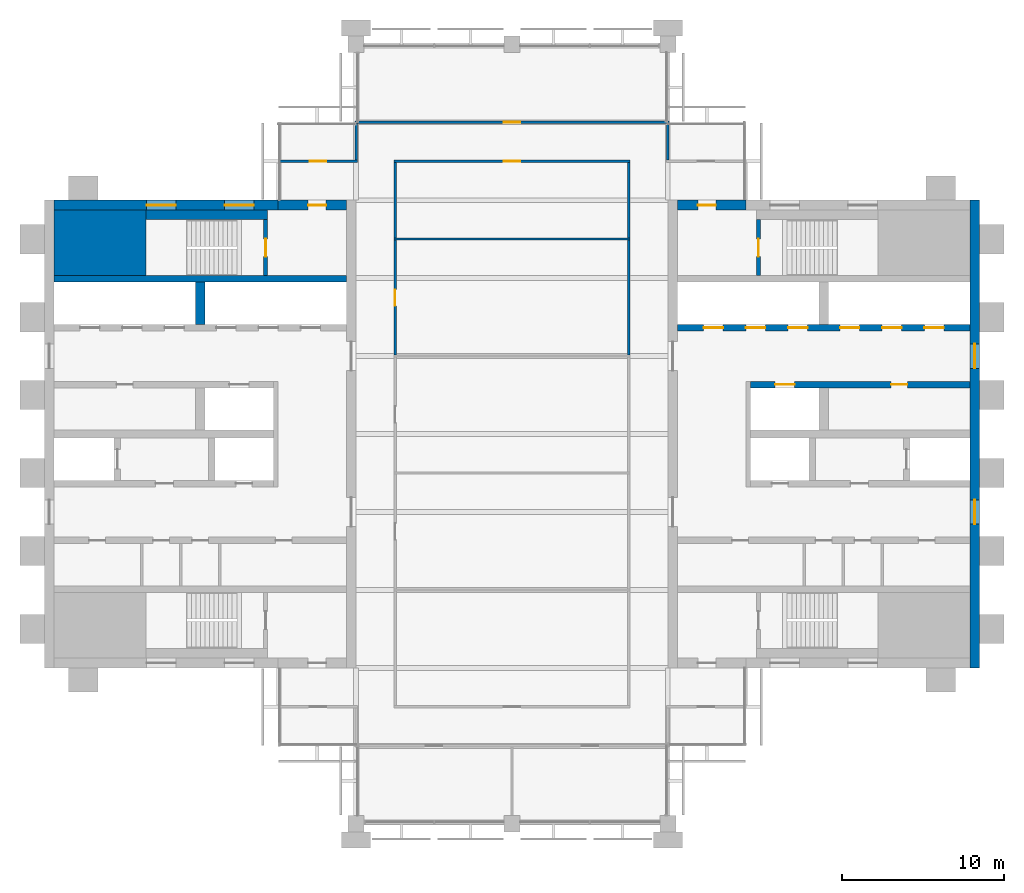
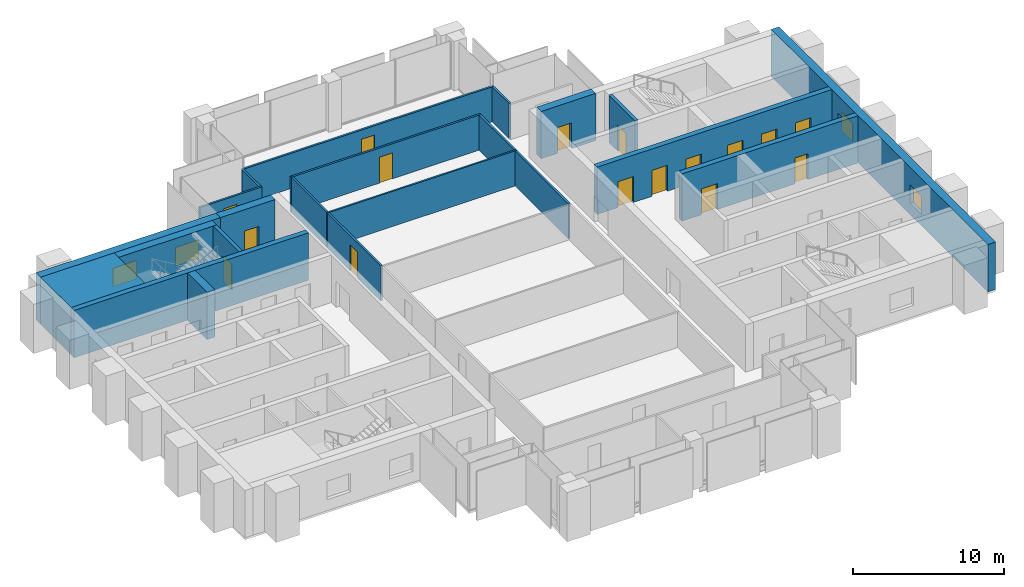
# One storey, part 10 of 12: 22 walls, 16 doors, 4 windows, 20 openings.
"""IFC4 building model written with IfcOpenShell, lengths in metres."""

from ifc_helpers import new_model, si_unit, direction, frame, frame_2d, origin, place, context, subcontext, project, spatial, rectangle, extrude, material, layer, layer_set, type_object, element, fill, save


model = new_model("IFC4")

# Units and contexts
model_context = context("Model", 3, precision=1e-05, world=origin(), true_north=direction((0.0, 1.0)))
body_context = subcontext(model_context, "Body", "Model", "MODEL_VIEW")
ifc_project = project(units=[si_unit("LENGTHUNIT", "METRE"), si_unit("AREAUNIT", "SQUARE_METRE"), si_unit("VOLUMEUNIT", "CUBIC_METRE"), si_unit("PLANEANGLEUNIT", "RADIAN"), si_unit("MASSUNIT", "GRAM", prefix="KILO")], contexts=[model_context])

# Site, building, storey
site_placement = place(None, origin())
site = spatial("IfcSite", under=ifc_project, at=site_placement, CompositionType="ELEMENT")
building_placement = place(site_placement, origin())
building = spatial("IfcBuilding", under=site, at=building_placement, Name="Baori Bourse Tower", CompositionType="ELEMENT")
storey_placement = place(building_placement, frame((0.0, 0.0, 322.300048828125)))
storey = spatial("IfcBuildingStorey", under=building, at=storey_placement, Name="L71", CompositionType="ELEMENT", Elevation=322.300048828125)

# Wall
ifc_material_1 = material(Name="Concrete f'c 40 MPa", Category="concrete")
wall_type_1 = type_object("IfcWallType", Name="Core corner block f'c 40", PredefinedType="SHEAR", material=ifc_material_1)
wall_1_placement = place(storey_placement, frame((0.60009765625, 35.77490234375, 0.0), z_axis=(0.0, 0.0, 1.0), x_axis=(1.0, 0.0, 0.0)))
element("IfcWall", 1, at=wall_1_placement, inside=storey, type_object=wall_type_1, Name="Core wall W23", PredefinedType="SHEAR", context=body_context, shape_type="SweptSolid", body=[
    extrude(rectangle(XDim=5.64990234375, YDim=4.050048828125, at=frame_2d((2.824951171875, 0.0))), origin(), (0.0, 0.0, 1.0), 3.83984375),
])

# Wall, openings, windows
ifc_material_2 = material(Name="Concrete f'c 40 MPa", Category="concrete")
ifc_layer_1 = layer(ifc_material_2, 0.60009765625)
ifc_layer_set_1 = layer_set([ifc_layer_1], Name="Core wall 600 f'c 40")
wall_type_2 = type_object("IfcWallType", Name="Core wall 600 f'c 40", PredefinedType="SHEAR", material=ifc_layer_set_1)
wall_2_placement = place(storey_placement, frame((0.60009765625, 38.10009765625, 0.0), z_axis=(0.0, 0.0, 1.0), x_axis=(1.0, 0.0, 0.0)))
wall_2 = element("IfcWall", 2, at=wall_2_placement, inside=storey, type_object=wall_type_2, Name="Core wall W26", PredefinedType="SHEAR", context=body_context, shape_type="SweptSolid", body=[
    extrude(rectangle(XDim=13.7998046875, YDim=0.60009765625, at=frame_2d((6.89990234375, 0.0))), origin(), (0.0, 0.0, 1.0), 3.83984375),
])
opening_1_placement = place(wall_2_placement, frame((5.699951171875, 0.0, 0.89990234375)))
opening_1 = element("IfcOpeningElement", 3, at=opening_1_placement, cuts=wall_2, Name="Opening L71-KW105", PredefinedType="OPENING", context=body_context, shape_type="SweptSolid", body=[
    extrude(rectangle(XDim=1.800048828125, YDim=1.5, at=frame_2d((0.89990234375, 0.75))), frame((0.0, 0.31005859375, 0.0), z_axis=(0.0, -1.0, 0.0), x_axis=(1.0, 0.0, 0.0)), (0.0, 0.0, 1.0), 0.6201171875),
])
opening_2_placement = place(wall_2_placement, frame((10.5, 0.0, 0.89990234375)))
opening_2 = element("IfcOpeningElement", 4, at=opening_2_placement, cuts=wall_2, Name="Opening L71-KW106", PredefinedType="OPENING", context=body_context, shape_type="SweptSolid", body=[
    extrude(rectangle(XDim=1.800048828125, YDim=1.5, at=frame_2d((0.89990234375, 0.75))), frame((0.0, 0.31005859375, 0.0), z_axis=(0.0, -1.0, 0.0), x_axis=(1.0, 0.0, 0.0)), (0.0, 0.0, 1.0), 0.6201171875),
])
ifc_material_3 = material(Name="Pale anodised aluminium", Category="aluminium")
window_type_1 = type_object("IfcWindowType", Name="Stair window 1800 x 1500", PartitioningType="SINGLE_PANEL", PredefinedType="WINDOW", material=ifc_material_3)
window_1_placement = place(opening_1_placement, origin())
window_1 = element("IfcWindow", 5, at=window_1_placement, inside=storey, type_object=window_type_1, Name="Stair window W L71 5", OverallHeight=1.5, OverallWidth=1.800048828125, PartitioningType="SINGLE_PANEL", PredefinedType="WINDOW", context=body_context, shape_type="SweptSolid", body=[
    extrude(rectangle(XDim=1.800048828125, YDim=1.5, at=frame_2d((0.89990234375, 0.75))), frame((0.0, 0.030029296875, 0.0), z_axis=(0.0, -1.0, 0.0), x_axis=(1.0, 0.0, 0.0)), (0.0, 0.0, 1.0), 0.06005859375),
])
fill(opening_1, window_1)
window_2_placement = place(opening_2_placement, origin())
window_2 = element("IfcWindow", 6, at=window_2_placement, inside=storey, type_object=window_type_1, Name="Stair window W L71 6", OverallHeight=1.5, OverallWidth=1.800048828125, PartitioningType="SINGLE_PANEL", PredefinedType="WINDOW", context=body_context, shape_type="SweptSolid", body=[
    extrude(rectangle(XDim=1.800048828125, YDim=1.5, at=frame_2d((0.89990234375, 0.75))), frame((0.0, 0.030029296875, 0.0), z_axis=(0.0, -1.0, 0.0), x_axis=(1.0, 0.0, 0.0)), (0.0, 0.0, 1.0), 0.06005859375),
])
fill(opening_2, window_2)

# Wall, opening, door
wall_3_placement = place(storey_placement, frame((14.39990234375, 38.10009765625, 0.0), z_axis=(0.0, 0.0, 1.0), x_axis=(1.0, 0.0, 0.0)))
wall_3 = element("IfcWall", 7, at=wall_3_placement, inside=storey, type_object=wall_type_2, Name="Core wall W27", PredefinedType="SHEAR", context=body_context, shape_type="SweptSolid", body=[
    extrude(rectangle(XDim=4.2001953125, YDim=0.60009765625, at=frame_2d((2.10009765625, 0.0))), origin(), (0.0, 0.0, 1.0), 3.83984375),
])
opening_3_placement = place(wall_3_placement, frame((1.85009765625, 0.0, 0.0)))
opening_3 = element("IfcOpeningElement", 8, at=opening_3_placement, cuts=wall_3, Name="Opening L71-D104", PredefinedType="OPENING", context=body_context, shape_type="SweptSolid", body=[
    extrude(rectangle(XDim=1.10009765625, YDim=2.10009765625, at=frame_2d((0.550048828125, 1.050048828125))), frame((0.0, 0.31005859375, 0.0), z_axis=(0.0, -1.0, 0.0), x_axis=(1.0, 0.0, 0.0)), (0.0, 0.0, 1.0), 0.6201171875),
])
ifc_material_4 = material(Name="Painted steel door", Category="steel")
door_type_1 = type_object("IfcDoorType", Name="Stair door 1100", OperationType="SINGLE_SWING_LEFT", PredefinedType="DOOR", material=ifc_material_4)
door_1_placement = place(opening_3_placement, origin())
door_1 = element("IfcDoor", 9, at=door_1_placement, inside=storey, type_object=door_type_1, Name="Stair vestibule door B W L71", OperationType="SINGLE_SWING_LEFT", OverallHeight=2.10009765625, OverallWidth=1.10009765625, PredefinedType="DOOR", context=body_context, shape_type="SweptSolid", body=[
    extrude(rectangle(XDim=1.10009765625, YDim=2.10009765625, at=frame_2d((0.550048828125, 1.050048828125))), frame((0.0, 0.02490234375, 0.0), z_axis=(0.0, -1.0, 0.0), x_axis=(1.0, 0.0, 0.0)), (0.0, 0.0, 1.0), 0.050048828125),
])
fill(opening_3, door_1)

# Wall, openings, windows
wall_4_placement = place(storey_placement, frame((57.300048828125, 38.39990234375, 0.0), z_axis=(0.0, 0.0, 1.0), x_axis=(0.0, -1.0, 0.0)))
wall_4 = element("IfcWall", 10, at=wall_4_placement, inside=storey, type_object=wall_type_2, Name="Core wall E01", PredefinedType="SHEAR", context=body_context, shape_type="SweptSolid", body=[
    extrude(rectangle(XDim=28.7998046875, YDim=0.60009765625, at=frame_2d((14.39990234375, 0.0))), origin(), (0.0, 0.0, 1.0), 3.83984375),
])
opening_4_placement = place(wall_4_placement, frame((18.449951171875, 0.0, 0.89990234375)))
opening_4 = element("IfcOpeningElement", 11, at=opening_4_placement, cuts=wall_4, Name="Opening L71-KW201", PredefinedType="OPENING", context=body_context, shape_type="SweptSolid", body=[
    extrude(rectangle(XDim=1.5, YDim=1.5, at=frame_2d((0.75, 0.75))), frame((0.0, 0.31005859375, 0.0), z_axis=(0.0, -1.0, 0.0), x_axis=(1.0, 0.0, 0.0)), (0.0, 0.0, 1.0), 0.6201171875),
])
opening_5_placement = place(wall_4_placement, frame((8.85009765625, 0.0, 0.89990234375)))
opening_5 = element("IfcOpeningElement", 12, at=opening_5_placement, cuts=wall_4, Name="Opening L71-KW202", PredefinedType="OPENING", context=body_context, shape_type="SweptSolid", body=[
    extrude(rectangle(XDim=1.5, YDim=1.5, at=frame_2d((0.75, 0.75))), frame((0.0, 0.31005859375, 0.0), z_axis=(0.0, -1.0, 0.0), x_axis=(1.0, 0.0, 0.0)), (0.0, 0.0, 1.0), 0.6201171875),
])
ifc_material_5 = material(Name="Pale anodised aluminium", Category="aluminium")
window_type_2 = type_object("IfcWindowType", Name="Lobby window 1500 x 1500", PartitioningType="SINGLE_PANEL", PredefinedType="WINDOW", material=ifc_material_5)
window_3_placement = place(opening_4_placement, origin())
window_3 = element("IfcWindow", 13, at=window_3_placement, inside=storey, type_object=window_type_2, Name="Outer wall window E L71 1", OverallHeight=1.5, OverallWidth=1.5, PartitioningType="SINGLE_PANEL", PredefinedType="WINDOW", context=body_context, shape_type="SweptSolid", body=[
    extrude(rectangle(XDim=1.5, YDim=1.5, at=frame_2d((0.75, 0.75))), frame((0.0, 0.030029296875, 0.0), z_axis=(0.0, -1.0, 0.0), x_axis=(1.0, 0.0, 0.0)), (0.0, 0.0, 1.0), 0.06005859375),
])
fill(opening_4, window_3)
window_4_placement = place(opening_5_placement, origin())
window_4 = element("IfcWindow", 14, at=window_4_placement, inside=storey, type_object=window_type_2, Name="Outer wall window E L71 2", OverallHeight=1.5, OverallWidth=1.5, PartitioningType="SINGLE_PANEL", PredefinedType="WINDOW", context=body_context, shape_type="SweptSolid", body=[
    extrude(rectangle(XDim=1.5, YDim=1.5, at=frame_2d((0.75, 0.75))), frame((0.0, 0.030029296875, 0.0), z_axis=(0.0, -1.0, 0.0), x_axis=(1.0, 0.0, 0.0)), (0.0, 0.0, 1.0), 0.06005859375),
])
fill(opening_5, window_4)

# Wall, opening, door
wall_5_placement = place(storey_placement, frame((39.0, 38.10009765625, 0.0), z_axis=(0.0, 0.0, 1.0), x_axis=(1.0, 0.0, 0.0)))
wall_5 = element("IfcWall", 15, at=wall_5_placement, inside=storey, type_object=wall_type_2, Name="Core wall E27", PredefinedType="SHEAR", context=body_context, shape_type="SweptSolid", body=[
    extrude(rectangle(XDim=4.199951171875, YDim=0.60009765625, at=frame_2d((2.10009765625, 0.0))), origin(), (0.0, 0.0, 1.0), 3.83984375),
])
opening_6_placement = place(wall_5_placement, frame((1.25, 0.0, 0.0)))
opening_6 = element("IfcOpeningElement", 16, at=opening_6_placement, cuts=wall_5, Name="Opening L71-D204", PredefinedType="OPENING", context=body_context, shape_type="SweptSolid", body=[
    extrude(rectangle(XDim=1.10009765625, YDim=2.10009765625, at=frame_2d((0.550048828125, 1.050048828125))), frame((0.0, 0.31005859375, 0.0), z_axis=(0.0, -1.0, 0.0), x_axis=(1.0, 0.0, 0.0)), (0.0, 0.0, 1.0), 0.6201171875),
])
door_2_placement = place(opening_6_placement, origin())
door_2 = element("IfcDoor", 17, at=door_2_placement, inside=storey, type_object=door_type_1, Name="Stair vestibule door B E L71", OperationType="SINGLE_SWING_LEFT", OverallHeight=2.10009765625, OverallWidth=1.10009765625, PredefinedType="DOOR", context=body_context, shape_type="SweptSolid", body=[
    extrude(rectangle(XDim=1.10009765625, YDim=2.10009765625, at=frame_2d((0.550048828125, 1.050048828125))), frame((0.0, 0.02490234375, 0.0), z_axis=(0.0, -1.0, 0.0), x_axis=(1.0, 0.0, 0.0)), (0.0, 0.0, 1.0), 0.050048828125),
])
fill(opening_6, door_2)

ifc_material_6 = material(Name="Gypsum board partition")
ifc_layer_2 = layer(ifc_material_6, 0.14990234375)
ifc_layer_set_2 = layer_set([ifc_layer_2], Name="Corridor partition 150")
wall_type_3 = type_object("IfcWallType", Name="Corridor partition 150", PredefinedType="PARTITIONING", material=ifc_layer_set_2)
wall_6_placement = place(storey_placement, frame((14.5, 40.800048828125, 0.0), z_axis=(0.0, 0.0, 1.0), x_axis=(1.0, 0.0, 0.0)))
wall_6 = element("IfcWall", 18, at=wall_6_placement, inside=storey, type_object=wall_type_3, Name="Partition", PredefinedType="PARTITIONING", context=body_context, shape_type="SweptSolid", body=[
    extrude(rectangle(XDim=4.77490234375, YDim=0.14990234375, at=frame_2d((2.387451171875, 0.0))), origin(), (0.0, 0.0, 1.0), 2.849365234375),
])
opening_7_placement = place(wall_6_placement, frame((1.85009765625, 0.0, 0.0)))
opening_7 = element("IfcOpeningElement", 19, at=opening_7_placement, cuts=wall_6, Name="Opening L71-D06", PredefinedType="OPENING", context=body_context, shape_type="SweptSolid", body=[
    extrude(rectangle(XDim=1.0, YDim=2.10009765625, at=frame_2d((0.5, 1.050048828125))), frame((0.0, 0.0849609375, 0.0), z_axis=(0.0, -1.0, 0.0), x_axis=(1.0, 0.0, 0.0)), (0.0, 0.0, 1.0), 0.169921875),
])
ifc_material_7 = material(Name="Timber door leaf", Category="wood")
door_type_2 = type_object("IfcDoorType", Name="Door 1000 x 2100", OperationType="SINGLE_SWING_LEFT", PredefinedType="DOOR", material=ifc_material_7)
door_3_placement = place(opening_7_placement, origin())
door_3 = element("IfcDoor", 20, at=door_3_placement, inside=storey, type_object=door_type_2, Name="Door", OperationType="SINGLE_SWING_RIGHT", OverallHeight=2.10009765625, OverallWidth=1.0, PredefinedType="DOOR", context=body_context, shape_type="SweptSolid", body=[
    extrude(rectangle(XDim=1.0, YDim=2.10009765625, at=frame_2d((0.5, 1.050048828125))), frame((0.0, 0.02490234375, 0.0), z_axis=(0.0, -1.0, 0.0), x_axis=(1.0, 0.0, 0.0)), (0.0, 0.0, 1.0), 0.050048828125),
])
fill(opening_7, door_3)

wall_7_placement = place(storey_placement, frame((21.52490234375, 40.800048828125, 0.0), z_axis=(0.0, 0.0, 1.0), x_axis=(1.0, 0.0, 0.0)))
wall_7 = element("IfcWall", 21, at=wall_7_placement, inside=storey, type_object=wall_type_3, Name="Partition", PredefinedType="PARTITIONING", context=body_context, shape_type="SweptSolid", body=[
    extrude(rectangle(XDim=14.550048828125, YDim=0.14990234375, at=frame_2d((7.27490234375, 0.0))), origin(), (0.0, 0.0, 1.0), 2.849365234375),
])
opening_8_placement = place(wall_7_placement, frame((6.77490234375, 0.0, 0.0)))
opening_8 = element("IfcOpeningElement", 22, at=opening_8_placement, cuts=wall_7, Name="Opening L71-D07", PredefinedType="OPENING", context=body_context, shape_type="SweptSolid", body=[
    extrude(rectangle(XDim=1.0, YDim=2.10009765625, at=frame_2d((0.5, 1.050048828125))), frame((0.0, 0.0849609375, 0.0), z_axis=(0.0, -1.0, 0.0), x_axis=(1.0, 0.0, 0.0)), (0.0, 0.0, 1.0), 0.169921875),
])
door_4_placement = place(opening_8_placement, origin())
door_4 = element("IfcDoor", 23, at=door_4_placement, inside=storey, type_object=door_type_2, Name="Door", OperationType="SINGLE_SWING_LEFT", OverallHeight=2.10009765625, OverallWidth=1.0, PredefinedType="DOOR", context=body_context, shape_type="SweptSolid", body=[
    extrude(rectangle(XDim=1.0, YDim=2.10009765625, at=frame_2d((0.5, 1.050048828125))), frame((0.0, 0.02490234375, 0.0), z_axis=(0.0, -1.0, 0.0), x_axis=(1.0, 0.0, 0.0)), (0.0, 0.0, 1.0), 0.050048828125),
])
fill(opening_8, door_4)

wall_8_placement = place(storey_placement, frame((19.125, 43.199951171875, 0.0), z_axis=(0.0, 0.0, 1.0), x_axis=(1.0, 0.0, 0.0)))
wall_8 = element("IfcWall", 24, at=wall_8_placement, inside=storey, type_object=wall_type_3, Name="Partition", PredefinedType="PARTITIONING", context=body_context, shape_type="SweptSolid", body=[
    extrude(rectangle(XDim=19.35009765625, YDim=0.14990234375, at=frame_2d((9.675048828125, 0.0))), origin(), (0.0, 0.0, 1.0), 2.849365234375),
])
opening_9_placement = place(wall_8_placement, frame((9.175048828125, 0.0, 0.0)))
opening_9 = element("IfcOpeningElement", 25, at=opening_9_placement, cuts=wall_8, Name="Opening L71-D09", PredefinedType="OPENING", context=body_context, shape_type="SweptSolid", body=[
    extrude(rectangle(XDim=1.0, YDim=2.10009765625, at=frame_2d((0.5, 1.050048828125))), frame((0.0, 0.0849609375, 0.0), z_axis=(0.0, -1.0, 0.0), x_axis=(1.0, 0.0, 0.0)), (0.0, 0.0, 1.0), 0.169921875),
])
door_5_placement = place(opening_9_placement, origin())
door_5 = element("IfcDoor", 26, at=door_5_placement, inside=storey, type_object=door_type_2, Name="Door", OperationType="SINGLE_SWING_RIGHT", OverallHeight=2.10009765625, OverallWidth=1.0, PredefinedType="DOOR", context=body_context, shape_type="SweptSolid", body=[
    extrude(rectangle(XDim=1.0, YDim=2.10009765625, at=frame_2d((0.5, 1.050048828125))), frame((0.0, 0.02490234375, 0.0), z_axis=(0.0, -1.0, 0.0), x_axis=(1.0, 0.0, 0.0)), (0.0, 0.0, 1.0), 0.050048828125),
])
fill(opening_9, door_5)

# Wall
wall_9_placement = place(storey_placement, frame((19.199951171875, 40.875, 0.0), z_axis=(0.0, 0.0, 1.0), x_axis=(0.0, 1.0, 0.0)))
element("IfcWall", 27, at=wall_9_placement, inside=storey, type_object=wall_type_3, Name="Partition", PredefinedType="PARTITIONING", context=body_context, shape_type="SweptSolid", body=[
    extrude(rectangle(XDim=2.25, YDim=0.14990234375, at=frame_2d((1.125, 0.0))), origin(), (0.0, 0.0, 1.0), 2.849365234375),
])

# Wall, opening, door
wall_10_placement = place(storey_placement, frame((21.60009765625, 28.862548828125, 0.0), z_axis=(0.0, 0.0, 1.0), x_axis=(0.0, 1.0, 0.0)))
wall_10 = element("IfcWall", 28, at=wall_10_placement, inside=storey, type_object=wall_type_3, Name="Partition", PredefinedType="PARTITIONING", context=body_context, shape_type="SweptSolid", body=[
    extrude(rectangle(XDim=7.074951171875, YDim=0.14990234375, at=frame_2d((3.53759765625, 0.0))), origin(), (0.0, 0.0, 1.0), 2.849365234375),
])
opening_10_placement = place(wall_10_placement, frame((3.03759765625, 0.0, 0.0)))
opening_10 = element("IfcOpeningElement", 29, at=opening_10_placement, cuts=wall_10, Name="Opening L71-D12", PredefinedType="OPENING", context=body_context, shape_type="SweptSolid", body=[
    extrude(rectangle(XDim=1.0, YDim=2.10009765625, at=frame_2d((0.5, 1.050048828125))), frame((0.0, 0.0849609375, 0.0), z_axis=(0.0, -1.0, 0.0), x_axis=(1.0, 0.0, 0.0)), (0.0, 0.0, 1.0), 0.169921875),
])
door_6_placement = place(opening_10_placement, origin())
door_6 = element("IfcDoor", 30, at=door_6_placement, inside=storey, type_object=door_type_2, Name="Door", OperationType="SINGLE_SWING_LEFT", OverallHeight=2.10009765625, OverallWidth=1.0, PredefinedType="DOOR", context=body_context, shape_type="SweptSolid", body=[
    extrude(rectangle(XDim=1.0, YDim=2.10009765625, at=frame_2d((0.5, 1.050048828125))), frame((0.0, 0.02490234375, 0.0), z_axis=(0.0, -1.0, 0.0), x_axis=(1.0, 0.0, 0.0)), (0.0, 0.0, 1.0), 0.050048828125),
])
fill(opening_10, door_6)

# Walls
wall_11_placement = place(storey_placement, frame((21.60009765625, 36.0625, 0.0), z_axis=(0.0, 0.0, 1.0), x_axis=(0.0, 1.0, 0.0)))
element("IfcWall", 31, at=wall_11_placement, inside=storey, type_object=wall_type_3, Name="Partition", PredefinedType="PARTITIONING", context=body_context, shape_type="SweptSolid", body=[
    extrude(rectangle(XDim=4.66259765625, YDim=0.14990234375, at=frame_2d((2.331298828125, 0.0))), origin(), (0.0, 0.0, 1.0), 2.849365234375),
])
wall_12_placement = place(storey_placement, frame((36.0, 28.862548828125, 0.0), z_axis=(0.0, 0.0, 1.0), x_axis=(0.0, 1.0, 0.0)))
element("IfcWall", 32, at=wall_12_placement, inside=storey, type_object=wall_type_3, Name="Partition", PredefinedType="PARTITIONING", context=body_context, shape_type="SweptSolid", body=[
    extrude(rectangle(XDim=7.074951171875, YDim=0.14990234375, at=frame_2d((3.53759765625, 0.0))), origin(), (0.0, 0.0, 1.0), 2.849365234375),
])
wall_13_placement = place(storey_placement, frame((36.0, 36.0625, 0.0), z_axis=(0.0, 0.0, 1.0), x_axis=(0.0, 1.0, 0.0)))
element("IfcWall", 33, at=wall_13_placement, inside=storey, type_object=wall_type_3, Name="Partition", PredefinedType="PARTITIONING", context=body_context, shape_type="SweptSolid", body=[
    extrude(rectangle(XDim=4.66259765625, YDim=0.14990234375, at=frame_2d((2.331298828125, 0.0))), origin(), (0.0, 0.0, 1.0), 2.849365234375),
])
wall_14_placement = place(storey_placement, frame((38.39990234375, 40.875, 0.0), z_axis=(0.0, 0.0, 1.0), x_axis=(0.0, 1.0, 0.0)))
element("IfcWall", 34, at=wall_14_placement, inside=storey, type_object=wall_type_3, Name="Partition", PredefinedType="PARTITIONING", context=body_context, shape_type="SweptSolid", body=[
    extrude(rectangle(XDim=2.25, YDim=0.14990234375, at=frame_2d((1.125, 0.0))), origin(), (0.0, 0.0, 1.0), 2.849365234375),
])
ifc_material_8 = material(Name="Gypsum board partition")
ifc_layer_3 = layer(ifc_material_8, 0.125)
ifc_layer_set_3 = layer_set([ifc_layer_3], Name="Partition 125")
wall_type_4 = type_object("IfcWallType", Name="Partition 125", PredefinedType="PARTITIONING", material=ifc_layer_set_3)
wall_15_placement = place(storey_placement, frame((21.52490234375, 36.0, 0.0), z_axis=(0.0, 0.0, 1.0), x_axis=(1.0, 0.0, 0.0)))
element("IfcWall", 35, at=wall_15_placement, inside=storey, type_object=wall_type_4, Name="Partition", PredefinedType="PARTITIONING", context=body_context, shape_type="SweptSolid", body=[
    extrude(rectangle(XDim=14.550048828125, YDim=0.125, at=frame_2d((7.27490234375, 0.0))), origin(), (0.0, 0.0, 1.0), 2.849365234375),
])

# Wall, opening, door
ifc_material_9 = material(Name="Concrete f'c 40 MPa", Category="concrete")
ifc_layer_4 = layer(ifc_material_9, 0.25)
ifc_layer_set_4 = layer_set([ifc_layer_4], Name="Shaft wall 250 f'c 40")
wall_type_5 = type_object("IfcWallType", Name="Shaft wall 250 f'c 40", PredefinedType="SHEAR", material=ifc_layer_set_4)
wall_16_placement = place(storey_placement, frame((13.625, 33.75, 0.0), z_axis=(0.0, 0.0, 1.0), x_axis=(0.0, 1.0, 0.0)))
wall_16 = element("IfcWall", 36, at=wall_16_placement, inside=storey, type_object=wall_type_5, Name="Core wall W24", PredefinedType="SHEAR", context=body_context, shape_type="SweptSolid", body=[
    extrude(rectangle(XDim=3.449951171875, YDim=0.25, at=frame_2d((1.72509765625, 0.0))), origin(), (0.0, 0.0, 1.0), 3.83984375),
])
opening_11_placement = place(wall_16_placement, frame((1.175048828125, 0.0, 0.0)))
opening_11 = element("IfcOpeningElement", 37, at=opening_11_placement, cuts=wall_16, Name="Opening L71-D103", PredefinedType="OPENING", context=body_context, shape_type="SweptSolid", body=[
    extrude(rectangle(XDim=1.10009765625, YDim=2.10009765625, at=frame_2d((0.550048828125, 1.050048828125))), frame((0.0, 0.135009765625, 0.0), z_axis=(0.0, -1.0, 0.0), x_axis=(1.0, 0.0, 0.0)), (0.0, 0.0, 1.0), 0.27001953125),
])
door_7_placement = place(opening_11_placement, origin())
door_7 = element("IfcDoor", 38, at=door_7_placement, inside=storey, type_object=door_type_1, Name="Stair door B W L71", OperationType="SINGLE_SWING_LEFT", OverallHeight=2.10009765625, OverallWidth=1.10009765625, PredefinedType="DOOR", context=body_context, shape_type="SweptSolid", body=[
    extrude(rectangle(XDim=1.10009765625, YDim=2.10009765625, at=frame_2d((0.550048828125, 1.050048828125))), frame((0.0, 0.02490234375, 0.0), z_axis=(0.0, -1.0, 0.0), x_axis=(1.0, 0.0, 0.0)), (0.0, 0.0, 1.0), 0.050048828125),
])
fill(opening_11, door_7)

wall_17_placement = place(storey_placement, frame((43.97509765625, 33.75, 0.0), z_axis=(0.0, 0.0, 1.0), x_axis=(0.0, 1.0, 0.0)))
wall_17 = element("IfcWall", 39, at=wall_17_placement, inside=storey, type_object=wall_type_5, Name="Core wall E24", PredefinedType="SHEAR", context=body_context, shape_type="SweptSolid", body=[
    extrude(rectangle(XDim=3.449951171875, YDim=0.25, at=frame_2d((1.72509765625, 0.0))), origin(), (0.0, 0.0, 1.0), 3.83984375),
])
opening_12_placement = place(wall_17_placement, frame((1.175048828125, 0.0, 0.0)))
opening_12 = element("IfcOpeningElement", 40, at=opening_12_placement, cuts=wall_17, Name="Opening L71-D203", PredefinedType="OPENING", context=body_context, shape_type="SweptSolid", body=[
    extrude(rectangle(XDim=1.10009765625, YDim=2.10009765625, at=frame_2d((0.550048828125, 1.050048828125))), frame((0.0, 0.135009765625, 0.0), z_axis=(0.0, -1.0, 0.0), x_axis=(1.0, 0.0, 0.0)), (0.0, 0.0, 1.0), 0.27001953125),
])
door_8_placement = place(opening_12_placement, origin())
door_8 = element("IfcDoor", 41, at=door_8_placement, inside=storey, type_object=door_type_1, Name="Stair door B E L71", OperationType="SINGLE_SWING_LEFT", OverallHeight=2.10009765625, OverallWidth=1.10009765625, PredefinedType="DOOR", context=body_context, shape_type="SweptSolid", body=[
    extrude(rectangle(XDim=1.10009765625, YDim=2.10009765625, at=frame_2d((0.550048828125, 1.050048828125))), frame((0.0, 0.02490234375, 0.0), z_axis=(0.0, -1.0, 0.0), x_axis=(1.0, 0.0, 0.0)), (0.0, 0.0, 1.0), 0.050048828125),
])
fill(opening_12, door_8)

# Wall
ifc_material_10 = material(Name="Concrete f'c 40 MPa", Category="concrete")
ifc_layer_5 = layer(ifc_material_10, 0.39990234375)
ifc_layer_set_5 = layer_set([ifc_layer_5], Name="Shaft wall 400 f'c 40")
wall_type_6 = type_object("IfcWallType", Name="Shaft wall 400 f'c 40", PredefinedType="SHEAR", material=ifc_layer_set_5)
wall_18_placement = place(storey_placement, frame((0.60009765625, 33.550048828125, 0.0), z_axis=(0.0, 0.0, 1.0), x_axis=(1.0, 0.0, 0.0)))
element("IfcWall", 42, at=wall_18_placement, inside=storey, type_object=wall_type_6, Name="Core wall W22", PredefinedType="SHEAR", context=body_context, shape_type="SweptSolid", body=[
    extrude(rectangle(XDim=18.0, YDim=0.39990234375, at=frame_2d((9.0, 0.0))), origin(), (0.0, 0.0, 1.0), 3.83984375),
])

# Wall, openings, doors
wall_19_placement = place(storey_placement, frame((43.5, 27.050048828125, 0.0), z_axis=(0.0, 0.0, 1.0), x_axis=(1.0, 0.0, 0.0)))
wall_19 = element("IfcWall", 43, at=wall_19_placement, inside=storey, type_object=wall_type_6, Name="Core wall E19", PredefinedType="SHEAR", context=body_context, shape_type="SweptSolid", body=[
    extrude(rectangle(XDim=13.5, YDim=0.39990234375, at=frame_2d((6.75, 0.0))), origin(), (0.0, 0.0, 1.0), 3.83984375),
])
opening_13_placement = place(wall_19_placement, frame((8.64990234375, 0.0, 0.0)))
opening_13 = element("IfcOpeningElement", 44, at=opening_13_placement, cuts=wall_19, Name="Opening L71-D213", PredefinedType="OPENING", context=body_context, shape_type="SweptSolid", body=[
    extrude(rectangle(XDim=1.0, YDim=2.10009765625, at=frame_2d((0.5, 1.050048828125))), frame((0.0, 0.2099609375, 0.0), z_axis=(0.0, -1.0, 0.0), x_axis=(1.0, 0.0, 0.0)), (0.0, 0.0, 1.0), 0.419921875),
])
opening_14_placement = place(wall_19_placement, frame((1.5, 0.0, 0.0)))
opening_14 = element("IfcOpeningElement", 45, at=opening_14_placement, cuts=wall_19, Name="Opening L71-D220", PredefinedType="OPENING", context=body_context, shape_type="SweptSolid", body=[
    extrude(rectangle(XDim=1.199951171875, YDim=2.10009765625, at=frame_2d((0.60009765625, 1.050048828125))), frame((0.0, 0.2099609375, 0.0), z_axis=(0.0, -1.0, 0.0), x_axis=(1.0, 0.0, 0.0)), (0.0, 0.0, 1.0), 0.419921875),
])
ifc_material_11 = material(Name="Painted steel door", Category="steel")
door_type_3 = type_object("IfcDoorType", Name="Core door 1000", OperationType="SINGLE_SWING_LEFT", PredefinedType="DOOR", material=ifc_material_11)
door_9_placement = place(opening_13_placement, origin())
door_9 = element("IfcDoor", 46, at=door_9_placement, inside=storey, type_object=door_type_3, Name="Store Room door E L71", OperationType="SINGLE_SWING_LEFT", OverallHeight=2.10009765625, OverallWidth=1.0, PredefinedType="DOOR", context=body_context, shape_type="SweptSolid", body=[
    extrude(rectangle(XDim=1.0, YDim=2.10009765625, at=frame_2d((0.5, 1.050048828125))), frame((0.0, 0.02490234375, 0.0), z_axis=(0.0, -1.0, 0.0), x_axis=(1.0, 0.0, 0.0)), (0.0, 0.0, 1.0), 0.050048828125),
])
fill(opening_13, door_9)
ifc_material_12 = material(Name="Stainless steel door", Category="steel")
door_type_4 = type_object("IfcDoorType", Name="Lift landing door", OperationType="DOUBLE_DOOR_SLIDING", PredefinedType="DOOR", material=ifc_material_12)
door_10_placement = place(opening_14_placement, origin())
door_10 = element("IfcDoor", 47, at=door_10_placement, inside=storey, type_object=door_type_4, Name="Lift landing door SV1 E L71", OperationType="DOUBLE_DOOR_SLIDING", OverallHeight=2.10009765625, OverallWidth=1.199951171875, PredefinedType="DOOR", context=body_context, shape_type="SweptSolid", body=[
    extrude(rectangle(XDim=1.199951171875, YDim=2.10009765625, at=frame_2d((0.60009765625, 1.050048828125))), frame((0.0, 0.02490234375, 0.0), z_axis=(0.0, -1.0, 0.0), x_axis=(1.0, 0.0, 0.0)), (0.0, 0.0, 1.0), 0.050048828125),
])
fill(opening_14, door_10)

wall_20_placement = place(storey_placement, frame((39.0, 30.550048828125, 0.0), z_axis=(0.0, 0.0, 1.0), x_axis=(1.0, 0.0, 0.0)))
wall_20 = element("IfcWall", 48, at=wall_20_placement, inside=storey, type_object=wall_type_6, Name="Core wall E20", PredefinedType="SHEAR", context=body_context, shape_type="SweptSolid", body=[
    extrude(rectangle(XDim=18.0, YDim=0.39990234375, at=frame_2d((9.0, 0.0))), origin(), (0.0, 0.0, 1.0), 3.83984375),
])
opening_15_placement = place(wall_20_placement, frame((15.199951171875, 0.0, 0.0)))
opening_15 = element("IfcOpeningElement", 49, at=opening_15_placement, cuts=wall_20, Name="Opening L71-D214", PredefinedType="OPENING", context=body_context, shape_type="SweptSolid", body=[
    extrude(rectangle(XDim=1.199951171875, YDim=2.10009765625, at=frame_2d((0.60009765625, 1.050048828125))), frame((0.0, 0.2099609375, 0.0), z_axis=(0.0, -1.0, 0.0), x_axis=(1.0, 0.0, 0.0)), (0.0, 0.0, 1.0), 0.419921875),
])
opening_16_placement = place(wall_20_placement, frame((12.60009765625, 0.0, 0.0)))
opening_16 = element("IfcOpeningElement", 50, at=opening_16_placement, cuts=wall_20, Name="Opening L71-D215", PredefinedType="OPENING", context=body_context, shape_type="SweptSolid", body=[
    extrude(rectangle(XDim=1.199951171875, YDim=2.10009765625, at=frame_2d((0.60009765625, 1.050048828125))), frame((0.0, 0.2099609375, 0.0), z_axis=(0.0, -1.0, 0.0), x_axis=(1.0, 0.0, 0.0)), (0.0, 0.0, 1.0), 0.419921875),
])
opening_17_placement = place(wall_20_placement, frame((10.0, 0.0, 0.0)))
opening_17 = element("IfcOpeningElement", 51, at=opening_17_placement, cuts=wall_20, Name="Opening L71-D216", PredefinedType="OPENING", context=body_context, shape_type="SweptSolid", body=[
    extrude(rectangle(XDim=1.199951171875, YDim=2.10009765625, at=frame_2d((0.60009765625, 1.050048828125))), frame((0.0, 0.2099609375, 0.0), z_axis=(0.0, -1.0, 0.0), x_axis=(1.0, 0.0, 0.0)), (0.0, 0.0, 1.0), 0.419921875),
])
opening_18_placement = place(wall_20_placement, frame((6.800048828125, 0.0, 0.0)))
opening_18 = element("IfcOpeningElement", 52, at=opening_18_placement, cuts=wall_20, Name="Opening L71-D217", PredefinedType="OPENING", context=body_context, shape_type="SweptSolid", body=[
    extrude(rectangle(XDim=1.199951171875, YDim=2.10009765625, at=frame_2d((0.60009765625, 1.050048828125))), frame((0.0, 0.2099609375, 0.0), z_axis=(0.0, -1.0, 0.0), x_axis=(1.0, 0.0, 0.0)), (0.0, 0.0, 1.0), 0.419921875),
])
opening_19_placement = place(wall_20_placement, frame((4.199951171875, 0.0, 0.0)))
opening_19 = element("IfcOpeningElement", 53, at=opening_19_placement, cuts=wall_20, Name="Opening L71-D218", PredefinedType="OPENING", context=body_context, shape_type="SweptSolid", body=[
    extrude(rectangle(XDim=1.199951171875, YDim=2.10009765625, at=frame_2d((0.60009765625, 1.050048828125))), frame((0.0, 0.2099609375, 0.0), z_axis=(0.0, -1.0, 0.0), x_axis=(1.0, 0.0, 0.0)), (0.0, 0.0, 1.0), 0.419921875),
])
opening_20_placement = place(wall_20_placement, frame((1.60009765625, 0.0, 0.0)))
opening_20 = element("IfcOpeningElement", 54, at=opening_20_placement, cuts=wall_20, Name="Opening L71-D219", PredefinedType="OPENING", context=body_context, shape_type="SweptSolid", body=[
    extrude(rectangle(XDim=1.199951171875, YDim=2.10009765625, at=frame_2d((0.60009765625, 1.050048828125))), frame((0.0, 0.2099609375, 0.0), z_axis=(0.0, -1.0, 0.0), x_axis=(1.0, 0.0, 0.0)), (0.0, 0.0, 1.0), 0.419921875),
])
door_11_placement = place(opening_15_placement, origin())
door_11 = element("IfcDoor", 55, at=door_11_placement, inside=storey, type_object=door_type_4, Name="Lift landing door HR1 E L71", OperationType="DOUBLE_DOOR_SLIDING", OverallHeight=2.10009765625, OverallWidth=1.199951171875, PredefinedType="DOOR", context=body_context, shape_type="SweptSolid", body=[
    extrude(rectangle(XDim=1.199951171875, YDim=2.10009765625, at=frame_2d((0.60009765625, 1.050048828125))), frame((0.0, 0.02490234375, 0.0), z_axis=(0.0, -1.0, 0.0), x_axis=(1.0, 0.0, 0.0)), (0.0, 0.0, 1.0), 0.050048828125),
])
fill(opening_15, door_11)
door_12_placement = place(opening_16_placement, origin())
door_12 = element("IfcDoor", 56, at=door_12_placement, inside=storey, type_object=door_type_4, Name="Lift landing door HR2 E L71", OperationType="DOUBLE_DOOR_SLIDING", OverallHeight=2.10009765625, OverallWidth=1.199951171875, PredefinedType="DOOR", context=body_context, shape_type="SweptSolid", body=[
    extrude(rectangle(XDim=1.199951171875, YDim=2.10009765625, at=frame_2d((0.60009765625, 1.050048828125))), frame((0.0, 0.02490234375, 0.0), z_axis=(0.0, -1.0, 0.0), x_axis=(1.0, 0.0, 0.0)), (0.0, 0.0, 1.0), 0.050048828125),
])
fill(opening_16, door_12)
door_13_placement = place(opening_17_placement, origin())
door_13 = element("IfcDoor", 57, at=door_13_placement, inside=storey, type_object=door_type_4, Name="Lift landing door HR3 E L71", OperationType="DOUBLE_DOOR_SLIDING", OverallHeight=2.10009765625, OverallWidth=1.199951171875, PredefinedType="DOOR", context=body_context, shape_type="SweptSolid", body=[
    extrude(rectangle(XDim=1.199951171875, YDim=2.10009765625, at=frame_2d((0.60009765625, 1.050048828125))), frame((0.0, 0.02490234375, 0.0), z_axis=(0.0, -1.0, 0.0), x_axis=(1.0, 0.0, 0.0)), (0.0, 0.0, 1.0), 0.050048828125),
])
fill(opening_17, door_13)
door_14_placement = place(opening_18_placement, origin())
door_14 = element("IfcDoor", 58, at=door_14_placement, inside=storey, type_object=door_type_4, Name="Lift landing door HR4 E L71", OperationType="DOUBLE_DOOR_SLIDING", OverallHeight=2.10009765625, OverallWidth=1.199951171875, PredefinedType="DOOR", context=body_context, shape_type="SweptSolid", body=[
    extrude(rectangle(XDim=1.199951171875, YDim=2.10009765625, at=frame_2d((0.60009765625, 1.050048828125))), frame((0.0, 0.02490234375, 0.0), z_axis=(0.0, -1.0, 0.0), x_axis=(1.0, 0.0, 0.0)), (0.0, 0.0, 1.0), 0.050048828125),
])
fill(opening_18, door_14)
door_15_placement = place(opening_19_placement, origin())
door_15 = element("IfcDoor", 59, at=door_15_placement, inside=storey, type_object=door_type_4, Name="Lift landing door HR5 E L71", OperationType="DOUBLE_DOOR_SLIDING", OverallHeight=2.10009765625, OverallWidth=1.199951171875, PredefinedType="DOOR", context=body_context, shape_type="SweptSolid", body=[
    extrude(rectangle(XDim=1.199951171875, YDim=2.10009765625, at=frame_2d((0.60009765625, 1.050048828125))), frame((0.0, 0.02490234375, 0.0), z_axis=(0.0, -1.0, 0.0), x_axis=(1.0, 0.0, 0.0)), (0.0, 0.0, 1.0), 0.050048828125),
])
fill(opening_19, door_15)
door_16_placement = place(opening_20_placement, origin())
door_16 = element("IfcDoor", 60, at=door_16_placement, inside=storey, type_object=door_type_4, Name="Lift landing door HR6 E L71", OperationType="DOUBLE_DOOR_SLIDING", OverallHeight=2.10009765625, OverallWidth=1.199951171875, PredefinedType="DOOR", context=body_context, shape_type="SweptSolid", body=[
    extrude(rectangle(XDim=1.199951171875, YDim=2.10009765625, at=frame_2d((0.60009765625, 1.050048828125))), frame((0.0, 0.02490234375, 0.0), z_axis=(0.0, -1.0, 0.0), x_axis=(1.0, 0.0, 0.0)), (0.0, 0.0, 1.0), 0.050048828125),
])
fill(opening_20, door_16)

# Walls
ifc_material_13 = material(Name="Concrete f'c 40 MPa", Category="concrete")
ifc_layer_6 = layer(ifc_material_13, 0.60009765625)
ifc_layer_set_6 = layer_set([ifc_layer_6], Name="Shaft wall 600 f'c 40")
wall_type_7 = type_object("IfcWallType", Name="Shaft wall 600 f'c 40", PredefinedType="SHEAR", material=ifc_layer_set_6)
wall_21_placement = place(storey_placement, frame((9.60009765625, 30.75, 0.0), z_axis=(0.0, 0.0, 1.0), x_axis=(0.0, 1.0, 0.0)))
element("IfcWall", 61, at=wall_21_placement, inside=storey, type_object=wall_type_7, Name="Core wall W21", PredefinedType="SHEAR", context=body_context, shape_type="SweptSolid", body=[
    extrude(rectangle(XDim=2.60009765625, YDim=0.60009765625, at=frame_2d((1.300048828125, 0.0))), origin(), (0.0, 0.0, 1.0), 3.83984375),
])
wall_22_placement = place(storey_placement, frame((6.25, 37.5, 0.0), z_axis=(0.0, 0.0, 1.0), x_axis=(1.0, 0.0, 0.0)))
element("IfcWall", 62, at=wall_22_placement, inside=storey, type_object=wall_type_7, Name="Core wall W25", PredefinedType="SHEAR", context=body_context, shape_type="SweptSolid", body=[
    extrude(rectangle(XDim=7.5, YDim=0.60009765625, at=frame_2d((3.75, 0.0))), origin(), (0.0, 0.0, 1.0), 3.83984375),
])

save(model, "model.ifc")
